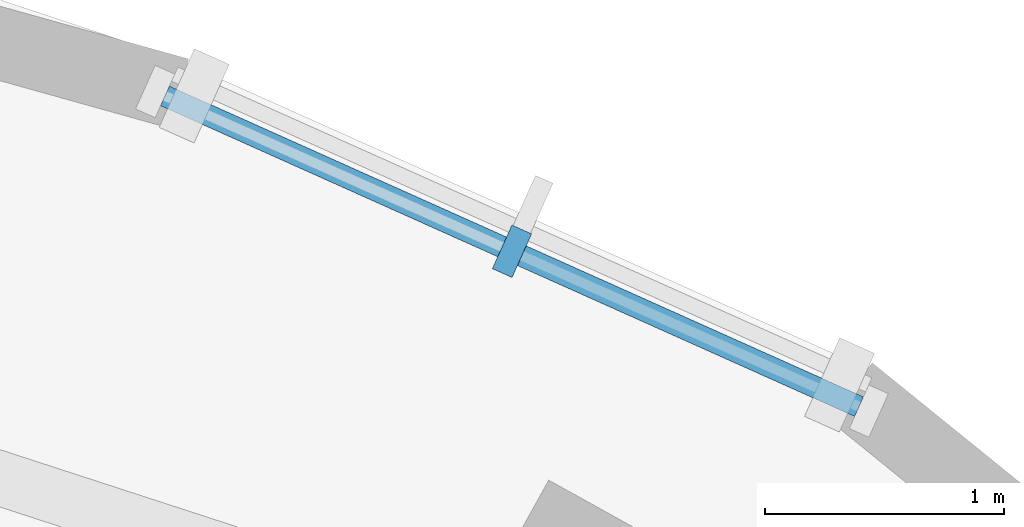
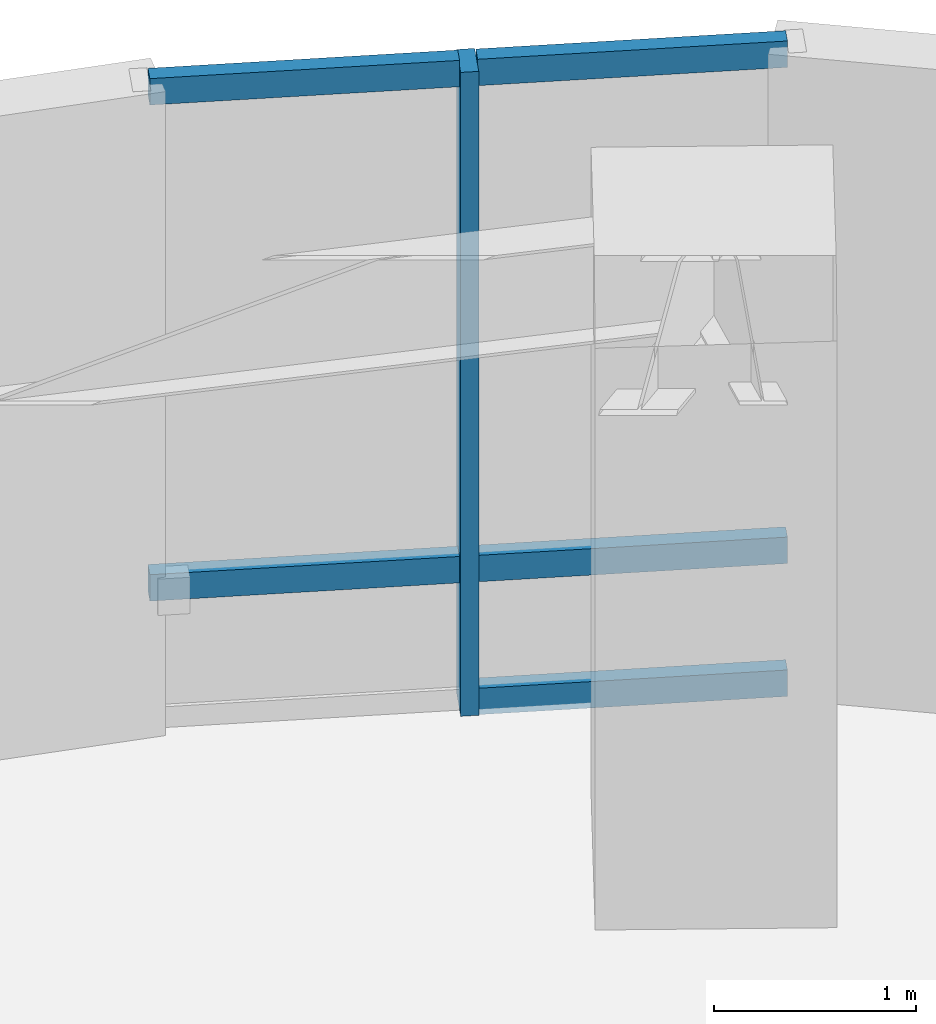
# One storey, part 6 of 15: 6 members, 1 element without a shape of its own.
"""IFC4 building model written with IfcOpenShell, lengths in metres."""

from ifc_helpers import new_model, si_unit, direction, frame, origin, origin_2d, place, context, subcontext, project, spatial, rectangle, extrude, material, layer, layer_set, material_profile, profile_set, type_object, element, aggregate, save


model = new_model("IFC4")

# Units and contexts
model_context = context("Model", 3, precision=1e-05, world=origin(), true_north=direction((0.0, 1.0)))
body_context = subcontext(model_context, "Body", "Model", "MODEL_VIEW")
ifc_project = project(units=[si_unit("LENGTHUNIT", "METRE"), si_unit("AREAUNIT", "SQUARE_METRE"), si_unit("VOLUMEUNIT", "CUBIC_METRE"), si_unit("PLANEANGLEUNIT", "RADIAN"), si_unit("MASSUNIT", "GRAM", prefix="KILO")], contexts=[model_context])

# Site, building, storey
site_placement = place(None, origin())
site = spatial("IfcSite", under=ifc_project, at=site_placement, CompositionType="ELEMENT")
building_placement = place(site_placement, origin())
building = spatial("IfcBuilding", under=site, at=building_placement, Name="Korentha Bioscience Tower", CompositionType="ELEMENT")
storey_placement = place(building_placement, frame((0.0, 0.0, 98.39990234375)))
storey = spatial("IfcBuildingStorey", under=building, at=storey_placement, Name="L22", CompositionType="ELEMENT", Elevation=98.39990234375)

# Curtain wall, members
ifc_material_1 = material(Name="Thermally Broken Aluminium Frame", Category="aluminium")
ifc_layer = layer(ifc_material_1, 0.219970703125, Name="Thermally Broken Aluminium Frame")
ifc_layer_set = layer_set([ifc_layer], Name="Thermally Broken Aluminium Frame (CW-T2)")
curtain_wall_type = type_object("IfcCurtainWallType", Name="Solar-Screened Lab Unitised Curtain Wall CW-T2", PredefinedType="USERDEFINED", material=ifc_layer_set)
curtain_wall_placement = place(storey_placement, origin())
curtain_wall = element("IfcCurtainWall", 1, at=curtain_wall_placement, inside=storey, type_object=curtain_wall_type, Name="L22 Curtain Wall 01", ObjectType="UNITISED", PredefinedType="USERDEFINED")
ifc_material_2 = material(Name="Anodised Aluminium 6063-T6", Category="aluminium")
ifc_material_profile_1 = material_profile(ifc_material_2, rectangle(XDim=0.090087890625, YDim=0.199951171875, at=origin_2d()), Name="Anodised Aluminium 6063-T6")
ifc_profile_set_1 = profile_set([ifc_material_profile_1], Name="Anodised Aluminium 6063-T6 (CW-MUL)")
member_type_1 = type_object("IfcMemberType", Name="Mullion RECT 90x200", PredefinedType="MULLION", material=ifc_profile_set_1)
member_1_placement = place(storey_placement, frame((48.871337890625, 45.72021484375, 0.0), z_axis=(0.0, 0.0, 1.0), x_axis=(-0.912686563127, 0.408660295952, 0.0)))
member_1 = element("IfcMember", 2, at=member_1_placement, type_object=member_type_1, Name="CW-L22-01 Mullion 2", PredefinedType="MULLION", context=body_context, shape_type="SweptSolid", body=[
    extrude(rectangle(XDim=0.090087890625, YDim=0.199951171875, at=origin_2d()), origin(), (0.0, 0.0, 1.0), 3.900146484375),
])
ifc_material_profile_2 = material_profile(ifc_material_2, rectangle(XDim=0.090087890625, YDim=0.159912109375, at=origin_2d()), Name="Anodised Aluminium 6063-T6")
ifc_profile_set_2 = profile_set([ifc_material_profile_2], Name="Anodised Aluminium 6063-T6 (CW-TRN)")
member_type_2 = type_object("IfcMemberType", Name="Transom RECT 90x160", PredefinedType="USERDEFINED", material=ifc_profile_set_2)
member_2_placement = place(storey_placement, frame((50.322998046875, 45.0703125, 0.045166015625), z_axis=(-0.912753156119, 0.408511537162, 0.0), x_axis=(-0.408511537162, -0.912753156119, 0.0)))
member_2 = element("IfcMember", 3, at=member_2_placement, type_object=member_type_2, Name="CW-L22-01 Bay 1 Transom 1", ObjectType="TRANSOM", PredefinedType="USERDEFINED", context=body_context, shape_type="SweptSolid", body=[
    extrude(rectangle(XDim=0.090087890625, YDim=0.159912109375, at=origin_2d()), origin(), (0.0, 0.0, 1.0), 1.54541015625),
])
member_3_placement = place(storey_placement, frame((50.322998046875, 45.0703125, 0.85009765625), z_axis=(-0.912753156119, 0.408511537162, 0.0), x_axis=(-0.408511537162, -0.912753156119, 0.0)))
member_3 = element("IfcMember", 4, at=member_3_placement, type_object=member_type_2, Name="CW-L22-01 Bay 1 Transom 2", ObjectType="TRANSOM", PredefinedType="USERDEFINED", context=body_context, shape_type="SweptSolid", body=[
    extrude(rectangle(XDim=0.090087890625, YDim=0.159912109375, at=origin_2d()), origin(), (0.0, 0.0, 1.0), 1.54541015625),
])
member_4_placement = place(storey_placement, frame((50.322998046875, 45.0703125, 3.85498046875), z_axis=(-0.912753156119, 0.408511537162, 0.0), x_axis=(-0.408511537162, -0.912753156119, 0.0)))
member_4 = element("IfcMember", 5, at=member_4_placement, type_object=member_type_2, Name="CW-L22-01 Bay 1 Transom 3", ObjectType="TRANSOM", PredefinedType="USERDEFINED", context=body_context, shape_type="SweptSolid", body=[
    extrude(rectangle(XDim=0.090087890625, YDim=0.159912109375, at=origin_2d()), origin(), (0.0, 0.0, 1.0), 1.54541015625),
])
member_5_placement = place(storey_placement, frame((48.830322265625, 45.738525390625, 0.85009765625), z_axis=(-0.912667864607, 0.408702053962, 0.0), x_axis=(-0.408702053962, -0.912667864607, 0.0)))
member_5 = element("IfcMember", 6, at=member_5_placement, type_object=member_type_2, Name="CW-L22-01 Bay 2 Transom 2", ObjectType="TRANSOM", PredefinedType="USERDEFINED", context=body_context, shape_type="SweptSolid", body=[
    extrude(rectangle(XDim=0.090087890625, YDim=0.159912109375, at=origin_2d()), origin(), (0.0, 0.0, 1.0), 1.54541015625),
])
member_6_placement = place(storey_placement, frame((48.830322265625, 45.738525390625, 3.85498046875), z_axis=(-0.912667864607, 0.408702053962, 0.0), x_axis=(-0.408702053962, -0.912667864607, 0.0)))
member_6 = element("IfcMember", 7, at=member_6_placement, type_object=member_type_2, Name="CW-L22-01 Bay 2 Transom 3", ObjectType="TRANSOM", PredefinedType="USERDEFINED", context=body_context, shape_type="SweptSolid", body=[
    extrude(rectangle(XDim=0.090087890625, YDim=0.159912109375, at=origin_2d()), origin(), (0.0, 0.0, 1.0), 1.54541015625),
])
aggregate(curtain_wall, [member_1, member_2, member_3, member_4, member_5, member_6])

save(model, "model.ifc")
